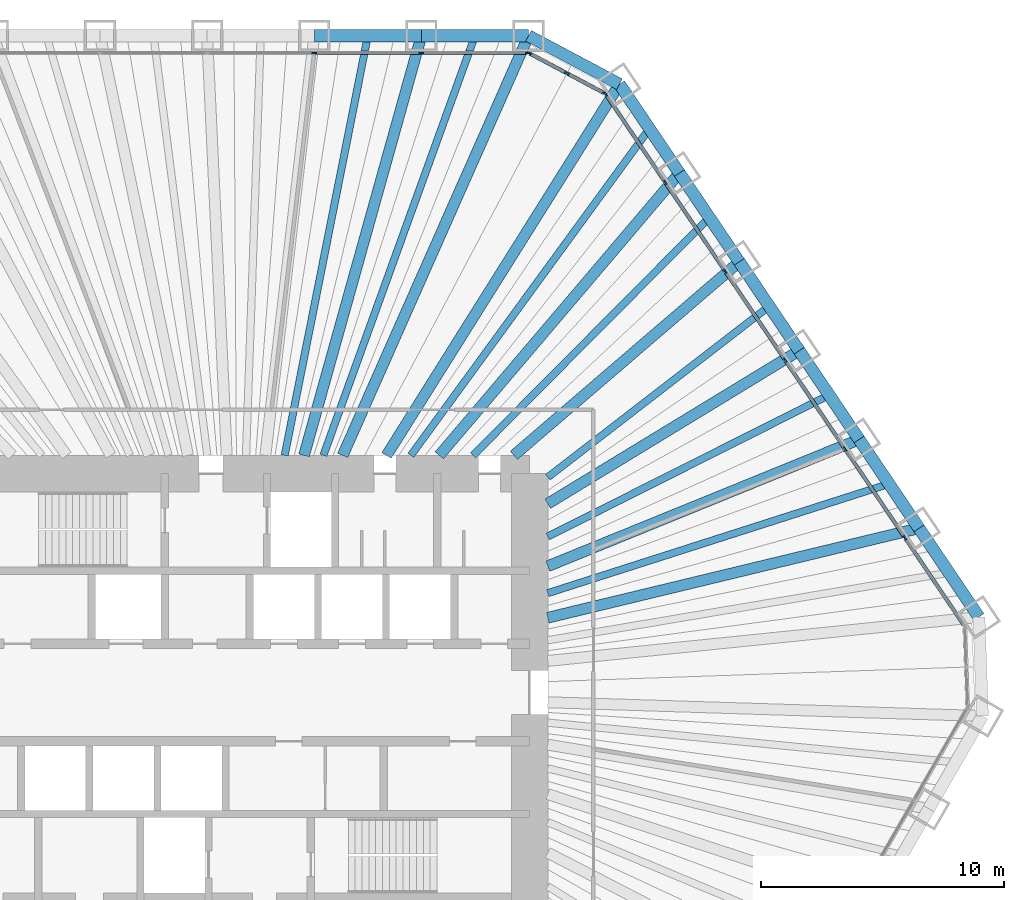
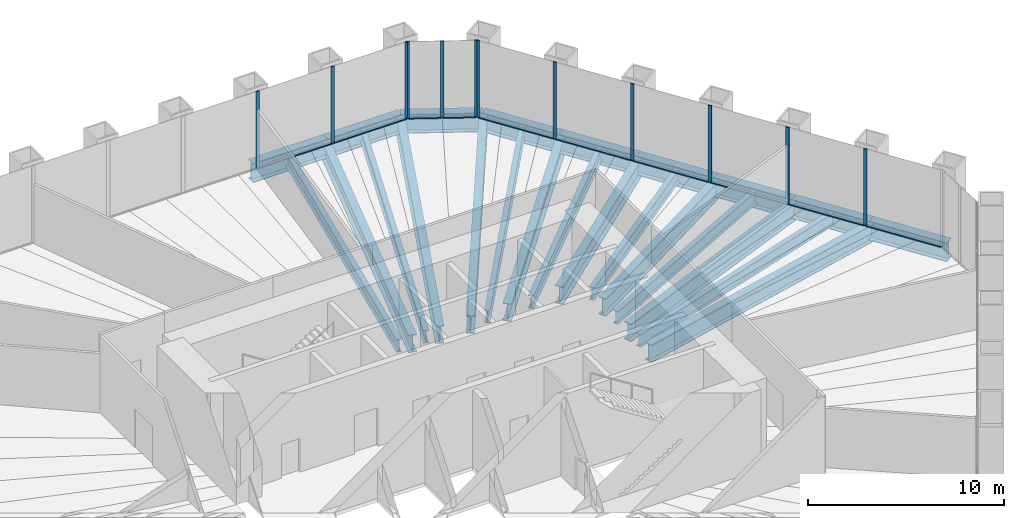
# One storey, part 7 of 13: 24 beams, 22 members, 3 elements without a shape of their own.
"""IFC4 building model written with IfcOpenShell, lengths in metres."""

import ifcopenshell
import ifcopenshell.guid

model = None  # the IFC model being written
_history = None  # IfcOwnerHistory: only IFC2X3 demands one
_inside = {}  # id of a spatial element -> (the spatial element, [elements in it])
_under = {}  # id of a project, library or spatial element -> (it, [spatial elements below it])
_declared = {}  # id of a project -> (the project, [libraries it declares])
_typed = {}  # id of a type object -> (the type object, [elements of that type])
_made_of = {}  # id of a material, layer set ... -> (it, [elements and type objects made of it])


def new_model(schema):
    """Start an empty IFC model of exactly this schema.

    Asked for "IFC4X3", IfcOpenShell would pick the latest addendum, in which some entities
    have other attributes; the version numbers below select the first issue.
    IFC2X3 requires an IfcOwnerHistory on every rooted entity: one is made here for all.
    """
    global model, _history
    if schema == "IFC4X3":
        model = ifcopenshell.file(schema_version=(4, 3, 0, 0))
    else:
        model = ifcopenshell.file(schema=schema)
    _inside.clear()
    _under.clear()
    _declared.clear()
    _typed.clear()
    _made_of.clear()
    _history = None
    if model.schema == "IFC2X3":
        org = make("IfcOrganization", Name="unknown")
        user = make(
            "IfcPersonAndOrganization",
            ThePerson=make("IfcPerson", FamilyName="unknown"),
            TheOrganization=org,
        )
        app = make(
            "IfcApplication",
            ApplicationDeveloper=org,
            Version="unknown",
            ApplicationFullName="unknown",
            ApplicationIdentifier="unknown",
        )
        _history = make(
            "IfcOwnerHistory",
            OwningUser=user,
            OwningApplication=app,
            ChangeAction="ADDED",
            CreationDate=0,
        )
    return model


def make(cls, **values):
    """One entity of the class cls with the attributes given. An attribute that is None is left unset."""
    return model.create_entity(
        cls, **{name: value for name, value in values.items() if value is not None}
    )


def rooted(cls, **values):
    """An entity with a GlobalId (a new one), such as an element, a storey or a relation."""
    return make(cls, GlobalId=ifcopenshell.guid.new(), OwnerHistory=_history, **values)


def si_unit(unit_type, name, prefix=None):
    """IfcSIUnit, for example si_unit("LENGTHUNIT", "METRE", prefix="MILLI")."""
    return make("IfcSIUnit", UnitType=unit_type, Prefix=prefix, Name=name)


def assignment(units):
    """IfcUnitAssignment: the units of a project."""
    return None if units is None else make("IfcUnitAssignment", Units=units)


def point(xyz):
    """IfcCartesianPoint."""
    return None if xyz is None else make("IfcCartesianPoint", Coordinates=xyz)


def direction(xyz):
    """IfcDirection."""
    return None if xyz is None else make("IfcDirection", DirectionRatios=xyz)


def frame(location, z_axis=None, x_axis=None):
    """IfcAxis2Placement3D, a coordinate frame: its origin and axes. An axis left out is left unset."""
    return make(
        "IfcAxis2Placement3D",
        Location=point(location),
        Axis=direction(z_axis),
        RefDirection=direction(x_axis),
    )


def frame_2d(location, x_axis=None):
    """IfcAxis2Placement2D, a coordinate frame in the plane: its origin and x axis."""
    return make(
        "IfcAxis2Placement2D", Location=point(location), RefDirection=direction(x_axis)
    )


def origin():
    """The frame at (0, 0, 0) with its axes left unset."""
    return frame((0.0, 0.0, 0.0))


def origin_2d():
    """The frame at (0, 0) in the plane with its x axis left unset."""
    return frame_2d((0.0, 0.0))


def place(relative_to, where):
    """IfcLocalPlacement: puts the frame where relative to a parent placement (None: the world)."""
    return make(
        "IfcLocalPlacement", PlacementRelTo=relative_to, RelativePlacement=where
    )


def context(
    kind, dimensions, precision=None, world=None, true_north=None, identifier=None
):
    """IfcGeometricRepresentationContext, for example the 3D "Model" context."""
    return make(
        "IfcGeometricRepresentationContext",
        ContextIdentifier=identifier,
        ContextType=kind,
        CoordinateSpaceDimension=dimensions,
        Precision=precision,
        WorldCoordinateSystem=world,
        TrueNorth=true_north,
    )


def subcontext(parent, identifier, kind, view, scale=None):
    """IfcGeometricRepresentationSubContext, for example "Body" below "Model"."""
    return make(
        "IfcGeometricRepresentationSubContext",
        ContextIdentifier=identifier,
        ContextType=kind,
        ParentContext=parent,
        TargetScale=scale,
        TargetView=view,
    )


def project(units=None, contexts=None):
    """IfcProject with its units and contexts."""
    return rooted(
        "IfcProject",
        Name="project",
        RepresentationContexts=contexts,
        UnitsInContext=assignment(units),
    )


def spatial(cls, under=None, at=None, **own):
    """A site, building, storey or space (cls), placed at a placement, below another one or the project."""
    s = rooted(cls, ObjectPlacement=at, **own)
    if under is not None:
        _under.setdefault(under.id(), (under, []))[1].append(s)
    return s


def profile(cls, at=None, kind="AREA", **sizes):
    """A parametric profile (cls). Its sizes go by their IFC names, for example OverallWidth=200.0."""
    return make(cls, ProfileType=kind, Position=at, **sizes)


def rectangle(**sizes):
    """IfcRectangleProfileDef."""
    return profile("IfcRectangleProfileDef", **sizes)


def i_section(**sizes):
    """IfcIShapeProfileDef."""
    return profile("IfcIShapeProfileDef", **sizes)


def extrude(swept, where, along, depth):
    """IfcExtrudedAreaSolid: the profile swept, set in the frame where, extruded along a direction by depth."""
    return make(
        "IfcExtrudedAreaSolid",
        SweptArea=swept,
        Position=where,
        ExtrudedDirection=direction(along),
        Depth=depth,
    )


def shape(context_of_items, identifier, shape_type, items):
    """IfcShapeRepresentation: the items that make up one representation, for example the "Body"."""
    return make(
        "IfcShapeRepresentation",
        ContextOfItems=context_of_items,
        RepresentationIdentifier=identifier,
        RepresentationType=shape_type,
        Items=items,
    )


def material(Name=None, Category=None):
    """IfcMaterial."""
    return make("IfcMaterial", Name=Name, Category=Category)


def material_profile(
    of_material, cross_section, Name=None, Category=None, Priority=None
):
    """IfcMaterialProfile: a cross section and its material."""
    return make(
        "IfcMaterialProfile",
        Name=Name,
        Material=of_material,
        Profile=cross_section,
        Priority=Priority,
        Category=Category,
    )


def profile_set(profiles, Name=None, composite=None):
    """IfcMaterialProfileSet."""
    return make(
        "IfcMaterialProfileSet",
        Name=Name,
        MaterialProfiles=profiles,
        CompositeProfile=composite,
    )


def made_of(thing, what):
    """Note that an element or type object is made of a material, layer set ...; save() writes the relation."""
    if what is not None:
        _made_of.setdefault(what.id(), (what, []))[1].append(thing)
    return thing


def type_object(cls, material=None, **own):
    """A type object (cls), such as IfcWallType, which elements share."""
    return made_of(rooted(cls, **own), material)


def element(
    cls,
    number,
    at=None,
    inside=None,
    cuts=None,
    type_object=None,
    material=None,
    context=None,
    identifier="Body",
    shape_type=None,
    held_by="IfcProductDefinitionShape",
    body=None,
    shapes=None,
    **own,
):
    """One element of the class cls, such as IfcWall. Its Tag is "e" and its number.

    at: its placement. inside: the storey or other place that contains it. cuts: it is an
    opening in that element (IfcRelVoidsElement). A single representation is given by context,
    identifier, shape_type and body (its items); several are given by shapes. held_by: the class
    of the entity that holds the representations. save() writes the other relations.
    """
    e = rooted(cls, Tag="e%d" % number, ObjectPlacement=at, **own)
    if body is not None:
        shapes = [shape(context, identifier, shape_type, body)]
    if shapes is not None:
        e.Representation = make(held_by, Representations=shapes)
    if inside is not None:
        _inside.setdefault(inside.id(), (inside, []))[1].append(e)
    if cuts is not None:
        rooted(
            "IfcRelVoidsElement", RelatingBuildingElement=cuts, RelatedOpeningElement=e
        )
    if type_object is not None:
        _typed.setdefault(type_object.id(), (type_object, []))[1].append(e)
    return made_of(e, material)


def aggregate(whole, parts):
    """IfcRelAggregates: a whole, such as a stair, and the parts it consists of."""
    return rooted("IfcRelAggregates", RelatingObject=whole, RelatedObjects=parts)


def save(model, path):
    """Write the relations noted so far, then the file.

    IfcRelAggregates (storeys below a building ...), IfcRelContainedInSpatialStructure (elements
    in a storey), IfcRelDefinesByType, IfcRelAssociatesMaterial and IfcRelDeclares: one each for
    every whole, place, type object, material and project.
    """
    for whole, parts in _under.values():
        aggregate(whole, parts)
    for where, things in _inside.values():
        rooted(
            "IfcRelContainedInSpatialStructure",
            RelatedElements=things,
            RelatingStructure=where,
        )
    for kind, things in _typed.values():
        rooted("IfcRelDefinesByType", RelatedObjects=things, RelatingType=kind)
    for what, things in _made_of.values():
        rooted("IfcRelAssociatesMaterial", RelatedObjects=things, RelatingMaterial=what)
    for by, libraries in _declared.values():
        rooted("IfcRelDeclares", RelatingContext=by, RelatedDefinitions=libraries)
    model.write(path)


model = new_model("IFC4")

# Units and contexts
model_context = context("Model", 3, precision=1e-05, world=origin(), true_north=direction((0.0, 1.0)))
body_context = subcontext(model_context, "Body", "Model", "MODEL_VIEW")
ifc_project = project(units=[si_unit("LENGTHUNIT", "METRE"), si_unit("AREAUNIT", "SQUARE_METRE"), si_unit("VOLUMEUNIT", "CUBIC_METRE"), si_unit("PLANEANGLEUNIT", "RADIAN"), si_unit("MASSUNIT", "GRAM", prefix="KILO")], contexts=[model_context])

# Site, building, storey
site_placement = place(None, origin())
site = spatial("IfcSite", under=ifc_project, at=site_placement, CompositionType="ELEMENT")
building_placement = place(site_placement, origin())
building = spatial("IfcBuilding", under=site, at=building_placement, Name="Qingtian Harvest Tower", CompositionType="ELEMENT")
storey_placement = place(building_placement, frame((0.0, 0.0, 42.0)))
storey = spatial("IfcBuildingStorey", under=building, at=storey_placement, Name="L08", CompositionType="ELEMENT", Elevation=42.0)

# Beams
ifc_material_1 = material(Name="Steel SM570MC", Category="steel")
ifc_material_profile_1 = material_profile(ifc_material_1, i_section(OverallWidth=0.449951171875, OverallDepth=1.10009765625, WebThickness=0.02197265625, FlangeThickness=0.044921875, at=origin_2d()), Name="H1100x450x22x45")
ifc_profile_set_1 = profile_set([ifc_material_profile_1], Name="Steel SM570MC")
beam_type_1 = type_object("IfcBeamType", Name="Corner floor beam FB8 H1100x450x22x45", PredefinedType="BEAM", material=ifc_profile_set_1)
beam_1_placement = place(storey_placement, frame((11.9560546875, 27.0, -0.75), z_axis=(-0.404898955654, -0.914361436036, 0.0), x_axis=(0.914361436036, -0.404898955654, 0.0)))
element("IfcBeam", 1, at=beam_1_placement, inside=storey, type_object=beam_type_1, Name="Floor beam FB8 N6", PredefinedType="BEAM", context=body_context, shape_type="SweptSolid", body=[
    extrude(i_section(OverallWidth=0.449951171875, OverallDepth=1.10009765625, WebThickness=0.02197265625, FlangeThickness=0.044921875, at=origin_2d()), origin(), (0.0, 0.0, 1.0), 18.86572265625),
])
beam_2_placement = place(storey_placement, frame((15.6982421875, 25.01025390625, -0.75), z_axis=(-0.531622796942, -0.846981228701, 0.0), x_axis=(0.846981228701, -0.531622796942, 0.0)))
element("IfcBeam", 2, at=beam_2_placement, inside=storey, type_object=beam_type_1, Name="Floor beam FB8 NE0", PredefinedType="BEAM", context=body_context, shape_type="SweptSolid", body=[
    extrude(i_section(OverallWidth=0.449951171875, OverallDepth=1.10009765625, WebThickness=0.02197265625, FlangeThickness=0.044921875, at=origin_2d()), origin(), (0.0, 0.0, 1.0), 18.017333984375),
])
ifc_material_2 = material(Name="Steel SM570MC", Category="steel")
ifc_material_profile_2 = material_profile(ifc_material_2, i_section(OverallWidth=0.449951171875, OverallDepth=1.10009765625, WebThickness=0.02197265625, FlangeThickness=0.044921875, at=origin_2d()), Name="H1100x450x22x45")
ifc_profile_set_2 = profile_set([ifc_material_profile_2], Name="Steel SM570MC")
beam_type_2 = type_object("IfcBeamType", Name="Floor beam FB1 H1100x450x22x45", PredefinedType="BEAM", material=ifc_profile_set_2)
beam_3_placement = place(storey_placement, frame((7.551513671875, 27.0, -0.75), z_axis=(-0.269343258019, -0.963044240604, 0.0), x_axis=(0.963044240604, -0.269343258019, 0.0)))
element("IfcBeam", 3, at=beam_3_placement, inside=storey, type_object=beam_type_2, Name="Floor beam FB1 N5", PredefinedType="BEAM", context=body_context, shape_type="SweptSolid", body=[
    extrude(i_section(OverallWidth=0.449951171875, OverallDepth=1.10009765625, WebThickness=0.02197265625, FlangeThickness=0.044921875, at=origin_2d()), origin(), (0.0, 0.0, 1.0), 17.911865234375),
])
beam_4_placement = place(storey_placement, frame((18.1611328125, 21.358642578125, -0.75), z_axis=(-0.647781887327, -0.761825850474, 0.0), x_axis=(0.761825850474, -0.647781887327, 0.0)))
element("IfcBeam", 4, at=beam_4_placement, inside=storey, type_object=beam_type_2, Name="Floor beam FB1 NE1", PredefinedType="BEAM", context=body_context, shape_type="SweptSolid", body=[
    extrude(i_section(OverallWidth=0.449951171875, OverallDepth=1.10009765625, WebThickness=0.02197265625, FlangeThickness=0.044921875, at=origin_2d()), origin(), (0.0, 0.0, 1.0), 15.238037109375),
])
beam_5_placement = place(storey_placement, frame((20.624267578125, 17.70703125, -0.75), z_axis=(-0.75873153072, -0.651403457384, 0.0), x_axis=(0.651403457384, -0.75873153072, 0.0)))
element("IfcBeam", 5, at=beam_5_placement, inside=storey, type_object=beam_type_2, Name="Floor beam FB1 NE2", PredefinedType="BEAM", context=body_context, shape_type="SweptSolid", body=[
    extrude(i_section(OverallWidth=0.449951171875, OverallDepth=1.10009765625, WebThickness=0.02197265625, FlangeThickness=0.044921875, at=origin_2d()), origin(), (0.0, 0.0, 1.0), 12.21533203125),
])
beam_6_placement = place(storey_placement, frame((23.08740234375, 14.0556640625, -0.75), z_axis=(-0.854157261259, -0.520014781558, 0.0), x_axis=(0.520014781558, -0.854157261259, 0.0)))
element("IfcBeam", 6, at=beam_6_placement, inside=storey, type_object=beam_type_2, Name="Floor beam FB1 NE3", PredefinedType="BEAM", context=body_context, shape_type="SweptSolid", body=[
    extrude(i_section(OverallWidth=0.449951171875, OverallDepth=1.10009765625, WebThickness=0.02197265625, FlangeThickness=0.044921875, at=origin_2d()), origin(), (0.0, 0.0, 1.0), 12.1025390625),
])
beam_7_placement = place(storey_placement, frame((25.55029296875, 10.404052734375, -0.75), z_axis=(-0.926156354735, -0.37713977062, 0.0), x_axis=(0.37713977062, -0.926156354735, 0.0)))
element("IfcBeam", 7, at=beam_7_placement, inside=storey, type_object=beam_type_2, Name="Floor beam FB1 NE4", PredefinedType="BEAM", context=body_context, shape_type="SweptSolid", body=[
    extrude(i_section(OverallWidth=0.449951171875, OverallDepth=1.10009765625, WebThickness=0.02197265625, FlangeThickness=0.044921875, at=origin_2d()), origin(), (0.0, 0.0, 1.0), 13.82080078125),
])
beam_8_placement = place(storey_placement, frame((28.013427734375, 6.75244140625, -0.75), z_axis=(-0.972155908389, -0.234334994792, 0.0), x_axis=(0.234334994792, -0.972155908389, 0.0)))
element("IfcBeam", 8, at=beam_8_placement, inside=storey, type_object=beam_type_2, Name="Floor beam FB1 NE5", PredefinedType="BEAM", context=body_context, shape_type="SweptSolid", body=[
    extrude(i_section(OverallWidth=0.449951171875, OverallDepth=1.10009765625, WebThickness=0.02197265625, FlangeThickness=0.044921875, at=origin_2d()), origin(), (0.0, 0.0, 1.0), 15.70068359375),
])
ifc_material_3 = material(Name="Steel SN490B", Category="steel")
ifc_material_profile_3 = material_profile(ifc_material_3, i_section(OverallWidth=0.300048828125, OverallDepth=0.800048828125, WebThickness=0.013916015625, FlangeThickness=0.02587890625, at=origin_2d()), Name="H800x300x14x26")
ifc_profile_set_3 = profile_set([ifc_material_profile_3], Name="Steel SN490B")
beam_type_3 = type_object("IfcBeamType", Name="Floor joist J1 H800x300x14x26", PredefinedType="JOIST", material=ifc_profile_set_3)
beam_9_placement = place(storey_placement, frame((5.349365234375, 27.0, -0.60009765625), z_axis=(-0.19435104803, -0.980932041545, 0.0), x_axis=(0.980932041545, -0.19435104803, 0.0)))
element("IfcBeam", 9, at=beam_9_placement, inside=storey, type_object=beam_type_3, Name="Floor joist J1 N4", PredefinedType="JOIST", context=body_context, shape_type="SweptSolid", body=[
    extrude(i_section(OverallWidth=0.300048828125, OverallDepth=0.800048828125, WebThickness=0.013916015625, FlangeThickness=0.02587890625, at=origin_2d()), origin(), (0.0, 0.0, 1.0), 17.585205078125),
])
beam_10_placement = place(storey_placement, frame((9.75390625, 27.0, -0.60009765625), z_axis=(-0.339766141765, -0.940509951521, 0.0), x_axis=(0.940509951521, -0.339766141765, 0.0)))
element("IfcBeam", 10, at=beam_10_placement, inside=storey, type_object=beam_type_3, Name="Floor joist J1 N5", PredefinedType="JOIST", context=body_context, shape_type="SweptSolid", body=[
    extrude(i_section(OverallWidth=0.300048828125, OverallDepth=0.800048828125, WebThickness=0.013916015625, FlangeThickness=0.02587890625, at=origin_2d()), origin(), (0.0, 0.0, 1.0), 18.341064453125),
])
beam_11_placement = place(storey_placement, frame((16.9296875, 23.1845703125, -0.60009765625), z_axis=(-0.589722175422, -0.80760618857, 0.0), x_axis=(0.80760618857, -0.589722175422, 0.0)))
element("IfcBeam", 11, at=beam_11_placement, inside=storey, type_object=beam_type_3, Name="Floor joist J1 NE0", PredefinedType="JOIST", context=body_context, shape_type="SweptSolid", body=[
    extrude(i_section(OverallWidth=0.300048828125, OverallDepth=0.800048828125, WebThickness=0.013916015625, FlangeThickness=0.02587890625, at=origin_2d()), origin(), (0.0, 0.0, 1.0), 16.635009765625),
])
beam_12_placement = place(storey_placement, frame((19.392822265625, 19.532958984375, -0.60009765625), z_axis=(-0.704560879039, -0.709643549768, 0.0), x_axis=(0.709643549768, -0.704560879039, 0.0)))
element("IfcBeam", 12, at=beam_12_placement, inside=storey, type_object=beam_type_3, Name="Floor joist J1 NE1", PredefinedType="JOIST", context=body_context, shape_type="SweptSolid", body=[
    extrude(i_section(OverallWidth=0.300048828125, OverallDepth=0.800048828125, WebThickness=0.013916015625, FlangeThickness=0.02587890625, at=origin_2d()), origin(), (0.0, 0.0, 1.0), 13.78564453125),
])
beam_13_placement = place(storey_placement, frame((21.855712890625, 15.88134765625, -0.60009765625), z_axis=(-0.79149450594, -0.611176281499, 0.0), x_axis=(0.611176281499, -0.79149450594, 0.0)))
element("IfcBeam", 13, at=beam_13_placement, inside=storey, type_object=beam_type_3, Name="Floor joist J1 NE2", PredefinedType="JOIST", context=body_context, shape_type="SweptSolid", body=[
    extrude(i_section(OverallWidth=0.300048828125, OverallDepth=0.800048828125, WebThickness=0.013916015625, FlangeThickness=0.02587890625, at=origin_2d()), origin(), (0.0, 0.0, 1.0), 11.50439453125),
])
beam_14_placement = place(storey_placement, frame((24.31884765625, 12.229736328125, -0.60009765625), z_axis=(-0.893391632689, -0.449278744924, 0.0), x_axis=(0.449278744924, -0.893391632689, 0.0)))
element("IfcBeam", 14, at=beam_14_placement, inside=storey, type_object=beam_type_3, Name="Floor joist J1 NE3", PredefinedType="JOIST", context=body_context, shape_type="SweptSolid", body=[
    extrude(i_section(OverallWidth=0.300048828125, OverallDepth=0.800048828125, WebThickness=0.013916015625, FlangeThickness=0.02587890625, at=origin_2d()), origin(), (0.0, 0.0, 1.0), 12.949462890625),
])
beam_15_placement = place(storey_placement, frame((26.78173828125, 8.578125, -0.60009765625), z_axis=(-0.952340804978, -0.305036048976, 0.0), x_axis=(0.305036048976, -0.952340804978, 0.0)))
element("IfcBeam", 15, at=beam_15_placement, inside=storey, type_object=beam_type_3, Name="Floor joist J1 NE4", PredefinedType="JOIST", context=body_context, shape_type="SweptSolid", body=[
    extrude(i_section(OverallWidth=0.300048828125, OverallDepth=0.800048828125, WebThickness=0.013916015625, FlangeThickness=0.02587890625, at=origin_2d()), origin(), (0.0, 0.0, 1.0), 14.73388671875),
])

# Curtain wall, members
ifc_material_4 = material(Name="Bronze-anodised aluminium curtain wall", Category="aluminium")
curtain_wall_type = type_object("IfcCurtainWallType", Name="Curtain wall CW2 farm reception", PredefinedType="USERDEFINED", material=ifc_material_4)
curtain_wall_1_placement = place(storey_placement, origin())
curtain_wall_1 = element("IfcCurtainWall", 16, at=curtain_wall_1_placement, inside=storey, type_object=curtain_wall_type, Name="Curtain wall CW2 L08 N0-5", ObjectType="RECESSED CURTAIN WALL", PredefinedType="USERDEFINED")
ifc_material_5 = material(Name="Bronze-anodised aluminium mullion", Category="aluminium")
ifc_material_profile_4 = material_profile(ifc_material_5, rectangle(XDim=0.06494140625, YDim=0.199951171875, at=origin_2d()), Name="AL 65x200")
ifc_profile_set_4 = profile_set([ifc_material_profile_4], Name="Bronze-anodised aluminium mullion")
member_type_1 = type_object("IfcMemberType", Name="Mullion CWM 65x200", PredefinedType="MULLION", material=ifc_profile_set_4)
member_1_placement = place(storey_placement, frame((3.14697265625, 26.300048828125, 0.0), z_axis=(0.0, 0.0, 1.0), x_axis=(0.0, 1.0, 0.0)))
member_1 = element("IfcMember", 17, at=member_1_placement, type_object=member_type_1, Name="CW2 mullion 5", PredefinedType="MULLION", context=body_context, shape_type="SweptSolid", body=[
    extrude(rectangle(XDim=0.06494140625, YDim=0.199951171875, at=origin_2d()), origin(), (0.0, 0.0, 1.0), 4.800048828125),
])
member_2_placement = place(storey_placement, frame((7.551513671875, 26.300048828125, 0.0), z_axis=(0.0, 0.0, 1.0), x_axis=(0.0, 1.0, 0.0)))
member_2 = element("IfcMember", 18, at=member_2_placement, type_object=member_type_1, Name="CW2 mullion 6", PredefinedType="MULLION", context=body_context, shape_type="SweptSolid", body=[
    extrude(rectangle(XDim=0.06494140625, YDim=0.199951171875, at=origin_2d()), origin(), (0.0, 0.0, 1.0), 4.800048828125),
])
member_3_placement = place(storey_placement, frame((11.923583984375, 26.300048828125, 0.0), z_axis=(0.0, 0.0, 1.0), x_axis=(0.0, 1.0, 0.0)))
member_3 = element("IfcMember", 19, at=member_3_placement, type_object=member_type_1, Name="CW2 mullion 7", PredefinedType="MULLION", context=body_context, shape_type="SweptSolid", body=[
    extrude(rectangle(XDim=0.06494140625, YDim=0.199951171875, at=origin_2d()), origin(), (0.0, 0.0, 1.0), 4.800048828125),
])

curtain_wall_2_placement = place(storey_placement, origin())
curtain_wall_2 = element("IfcCurtainWall", 20, at=curtain_wall_2_placement, inside=storey, type_object=curtain_wall_type, Name="Curtain wall CW2 L08 NC", ObjectType="RECESSED CURTAIN WALL", PredefinedType="USERDEFINED")
member_4_placement = place(storey_placement, frame((11.98486328125, 26.28466796875, 0.0), z_axis=(0.0, 0.0, 1.0), x_axis=(0.469471562786, 0.882947592859, 0.0)))
member_4 = element("IfcMember", 21, at=member_4_placement, type_object=member_type_1, Name="CW2 mullion 1", PredefinedType="MULLION", context=body_context, shape_type="SweptSolid", body=[
    extrude(rectangle(XDim=0.06494140625, YDim=0.199951171875, at=origin_2d()), origin(), (0.0, 0.0, 1.0), 4.800048828125),
])
member_5_placement = place(storey_placement, frame((13.537109375, 25.45947265625, 0.0), z_axis=(0.0, 0.0, 1.0), x_axis=(0.469471562786, 0.882947592859, 0.0)))
member_5 = element("IfcMember", 22, at=member_5_placement, type_object=member_type_1, Name="CW2 mullion 2", PredefinedType="MULLION", context=body_context, shape_type="SweptSolid", body=[
    extrude(rectangle(XDim=0.06494140625, YDim=0.199951171875, at=origin_2d()), origin(), (0.0, 0.0, 1.0), 4.800048828125),
])
member_6_placement = place(storey_placement, frame((15.089111328125, 24.634033203125, 0.0), z_axis=(0.0, 0.0, 1.0), x_axis=(0.469471562786, 0.882947592859, 0.0)))
member_6 = element("IfcMember", 23, at=member_6_placement, type_object=member_type_1, Name="CW2 mullion 3", PredefinedType="MULLION", context=body_context, shape_type="SweptSolid", body=[
    extrude(rectangle(XDim=0.06494140625, YDim=0.199951171875, at=origin_2d()), origin(), (0.0, 0.0, 1.0), 4.800048828125),
])

curtain_wall_3_placement = place(storey_placement, origin())
curtain_wall_3 = element("IfcCurtainWall", 24, at=curtain_wall_3_placement, inside=storey, type_object=curtain_wall_type, Name="Curtain wall CW2 L08 NE0-5", ObjectType="RECESSED CURTAIN WALL", PredefinedType="USERDEFINED")
member_7_placement = place(storey_placement, frame((15.135986328125, 24.592041015625, 0.0), z_axis=(0.0, 0.0, 1.0), x_axis=(0.829037572555, 0.559192903471, 0.0)))
member_7 = element("IfcMember", 25, at=member_7_placement, type_object=member_type_1, Name="CW2 mullion 1", PredefinedType="MULLION", context=body_context, shape_type="SweptSolid", body=[
    extrude(rectangle(XDim=0.06494140625, YDim=0.199951171875, at=origin_2d()), origin(), (0.0, 0.0, 1.0), 4.800048828125),
])
member_8_placement = place(storey_placement, frame((17.580810546875, 20.96728515625, 0.0), z_axis=(0.0, 0.0, 1.0), x_axis=(0.829037572555, 0.559192903471, 0.0)))
member_8 = element("IfcMember", 26, at=member_8_placement, type_object=member_type_1, Name="CW2 mullion 2", PredefinedType="MULLION", context=body_context, shape_type="SweptSolid", body=[
    extrude(rectangle(XDim=0.06494140625, YDim=0.199951171875, at=origin_2d()), origin(), (0.0, 0.0, 1.0), 4.800048828125),
])
member_9_placement = place(storey_placement, frame((20.0439453125, 17.315673828125, 0.0), z_axis=(0.0, 0.0, 1.0), x_axis=(0.829037572555, 0.559192903471, 0.0)))
member_9 = element("IfcMember", 27, at=member_9_placement, type_object=member_type_1, Name="CW2 mullion 3", PredefinedType="MULLION", context=body_context, shape_type="SweptSolid", body=[
    extrude(rectangle(XDim=0.06494140625, YDim=0.199951171875, at=origin_2d()), origin(), (0.0, 0.0, 1.0), 4.800048828125),
])
member_10_placement = place(storey_placement, frame((22.507080078125, 13.6640625, 0.0), z_axis=(0.0, 0.0, 1.0), x_axis=(0.829037572555, 0.559192903471, 0.0)))
member_10 = element("IfcMember", 28, at=member_10_placement, type_object=member_type_1, Name="CW2 mullion 4", PredefinedType="MULLION", context=body_context, shape_type="SweptSolid", body=[
    extrude(rectangle(XDim=0.06494140625, YDim=0.199951171875, at=origin_2d()), origin(), (0.0, 0.0, 1.0), 4.800048828125),
])
member_11_placement = place(storey_placement, frame((24.969970703125, 10.012451171875, 0.0), z_axis=(0.0, 0.0, 1.0), x_axis=(0.829037572555, 0.559192903471, 0.0)))
member_11 = element("IfcMember", 29, at=member_11_placement, type_object=member_type_1, Name="CW2 mullion 5", PredefinedType="MULLION", context=body_context, shape_type="SweptSolid", body=[
    extrude(rectangle(XDim=0.06494140625, YDim=0.199951171875, at=origin_2d()), origin(), (0.0, 0.0, 1.0), 4.800048828125),
])
member_12_placement = place(storey_placement, frame((27.43310546875, 6.36083984375, 0.0), z_axis=(0.0, 0.0, 1.0), x_axis=(0.829037572555, 0.559192903471, 0.0)))
member_12 = element("IfcMember", 30, at=member_12_placement, type_object=member_type_1, Name="CW2 mullion 6", PredefinedType="MULLION", context=body_context, shape_type="SweptSolid", body=[
    extrude(rectangle(XDim=0.06494140625, YDim=0.199951171875, at=origin_2d()), origin(), (0.0, 0.0, 1.0), 4.800048828125),
])

# Beams
ifc_material_6 = material(Name="Steel SM570MC", Category="steel")
ifc_material_profile_5 = material_profile(ifc_material_6, i_section(OverallWidth=0.5, OverallDepth=1.199951171875, WebThickness=0.02490234375, FlangeThickness=0.050048828125, at=origin_2d()), Name="H1200x500x25x50")
ifc_profile_set_5 = profile_set([ifc_material_profile_5], Name="Steel SM570MC")
beam_type_4 = type_object("IfcBeamType", Name="Spandrel beam SB1 H1200x500x25x50", PredefinedType="SPANDREL", material=ifc_profile_set_5)
for number, where, z_axis, x_axis, name in (
    (31, (3.14697265625, 27.0, -0.60009765625), (1.0, 0.0, 0.0), (0.0, 1.0, 0.0), "Spandrel SB1 N4"),
    (32, (7.551513671875, 27.0, -0.60009765625), (1.0, 0.0, 0.0), (0.0, 1.0, 0.0), "Spandrel SB1 N5"),
):
    element("IfcBeam", number, at=place(storey_placement, frame(where, z_axis=z_axis, x_axis=x_axis)), inside=storey, type_object=beam_type_4, Name=name, PredefinedType="SPANDREL", context=body_context, shape_type="SweptSolid", body=[
        extrude(i_section(OverallWidth=0.5, OverallDepth=1.199951171875, WebThickness=0.02490234375, FlangeThickness=0.050048828125, at=origin_2d()), origin(), (0.0, 0.0, 1.0), 4.404541015625),
    ])
beam_16_placement = place(storey_placement, frame((11.9560546875, 27.0, -0.60009765625), z_axis=(0.882948599748, -0.469469669099, 0.0), x_axis=(0.469469669099, 0.882948599748, 0.0)))
element("IfcBeam", 33, at=beam_16_placement, inside=storey, type_object=beam_type_4, Name="Spandrel SB1 NC", PredefinedType="SPANDREL", context=body_context, shape_type="SweptSolid", body=[
    extrude(i_section(OverallWidth=0.5, OverallDepth=1.199951171875, WebThickness=0.02490234375, FlangeThickness=0.050048828125, at=origin_2d()), origin(), (0.0, 0.0, 1.0), 4.23828125),
])
beam_17_placement = place(storey_placement, frame((15.6982421875, 25.01025390625, -0.60009765625), z_axis=(0.559169135272, -0.829053603912, 0.0), x_axis=(0.829053603912, 0.559169135272, 0.0)))
element("IfcBeam", 34, at=beam_17_placement, inside=storey, type_object=beam_type_4, Name="Spandrel SB1 NE0", PredefinedType="SPANDREL", context=body_context, shape_type="SweptSolid", body=[
    extrude(i_section(OverallWidth=0.5, OverallDepth=1.199951171875, WebThickness=0.02490234375, FlangeThickness=0.050048828125, at=origin_2d()), origin(), (0.0, 0.0, 1.0), 4.404541015625),
])
beam_18_placement = place(storey_placement, frame((18.1611328125, 21.358642578125, -0.60009765625), z_axis=(0.559207231603, -0.829027907928, 0.0), x_axis=(0.829027907928, 0.559207231603, 0.0)))
element("IfcBeam", 35, at=beam_18_placement, inside=storey, type_object=beam_type_4, Name="Spandrel SB1 NE1", PredefinedType="SPANDREL", context=body_context, shape_type="SweptSolid", body=[
    extrude(i_section(OverallWidth=0.5, OverallDepth=1.199951171875, WebThickness=0.02490234375, FlangeThickness=0.050048828125, at=origin_2d()), origin(), (0.0, 0.0, 1.0), 4.40478515625),
])
for number, where, z_axis, x_axis, name in (
    (36, (20.624267578125, 17.70703125, -0.60009765625), (0.559232928578, -0.829010573874, 0.0), (0.829010573874, 0.559232928578, 0.0), "Spandrel SB1 NE2"),
    (37, (23.08740234375, 14.0556640625, -0.60009765625), (0.559169135272, -0.829053603912, 0.0), (0.829053603912, 0.559169135272, 0.0), "Spandrel SB1 NE3"),
):
    element("IfcBeam", number, at=place(storey_placement, frame(where, z_axis=z_axis, x_axis=x_axis)), inside=storey, type_object=beam_type_4, Name=name, PredefinedType="SPANDREL", context=body_context, shape_type="SweptSolid", body=[
        extrude(i_section(OverallWidth=0.5, OverallDepth=1.199951171875, WebThickness=0.02490234375, FlangeThickness=0.050048828125, at=origin_2d()), origin(), (0.0, 0.0, 1.0), 4.404541015625),
    ])
beam_19_placement = place(storey_placement, frame((25.55029296875, 10.404052734375, -0.60009765625), z_axis=(0.559207231603, -0.829027907928, 0.0), x_axis=(0.829027907928, 0.559207231603, 0.0)))
element("IfcBeam", 38, at=beam_19_placement, inside=storey, type_object=beam_type_4, Name="Spandrel SB1 NE4", PredefinedType="SPANDREL", context=body_context, shape_type="SweptSolid", body=[
    extrude(i_section(OverallWidth=0.5, OverallDepth=1.199951171875, WebThickness=0.02490234375, FlangeThickness=0.050048828125, at=origin_2d()), origin(), (0.0, 0.0, 1.0), 4.40478515625),
])
beam_20_placement = place(storey_placement, frame((28.013427734375, 6.75244140625, -0.60009765625), z_axis=(0.559169135272, -0.829053603912, 0.0), x_axis=(0.829053603912, 0.559169135272, 0.0)))
element("IfcBeam", 39, at=beam_20_placement, inside=storey, type_object=beam_type_4, Name="Spandrel SB1 NE5", PredefinedType="SPANDREL", context=body_context, shape_type="SweptSolid", body=[
    extrude(i_section(OverallWidth=0.5, OverallDepth=1.199951171875, WebThickness=0.02490234375, FlangeThickness=0.050048828125, at=origin_2d()), origin(), (0.0, 0.0, 1.0), 4.404541015625),
])

# Member
ifc_material_7 = material(Name="Bronze-anodised aluminium transom", Category="aluminium")
ifc_material_profile_6 = material_profile(ifc_material_7, rectangle(XDim=0.14990234375, YDim=0.06494140625, at=origin_2d()), Name="AL 65x150")
ifc_profile_set_6 = profile_set([ifc_material_profile_6], Name="Bronze-anodised aluminium transom")
member_type_2 = type_object("IfcMemberType", Name="Transom CWT 65x150", PredefinedType="USERDEFINED", material=ifc_profile_set_6)
member_13_placement = place(storey_placement, frame((3.179443359375, 26.300048828125, 0.032470703125), z_axis=(1.0, 0.0, 0.0), x_axis=(0.0, 1.0, 0.0)))
member_13 = element("IfcMember", 40, at=member_13_placement, type_object=member_type_2, Name="CW2 transom 5.1", ObjectType="TRANSOM", PredefinedType="USERDEFINED", context=body_context, shape_type="SweptSolid", body=[
    extrude(rectangle(XDim=0.14990234375, YDim=0.06494140625, at=origin_2d()), origin(), (0.0, 0.0, 1.0), 4.339599609375),
])

member_14_placement = place(storey_placement, frame((7.583984375, 26.300048828125, 0.032470703125), z_axis=(1.0, 0.0, 0.0), x_axis=(0.0, 1.0, 0.0)))
member_14 = element("IfcMember", 41, at=member_14_placement, type_object=member_type_2, Name="CW2 transom 6.1", ObjectType="TRANSOM", PredefinedType="USERDEFINED", context=body_context, shape_type="SweptSolid", body=[
    extrude(rectangle(XDim=0.14990234375, YDim=0.06494140625, at=origin_2d()), origin(), (0.0, 0.0, 1.0), 4.30712890625),
])

aggregate(curtain_wall_1, [member_1, member_2, member_3, member_13, member_14])

member_15_placement = place(storey_placement, frame((12.013427734375, 26.26953125, 0.032470703125), z_axis=(0.882927080927, -0.469510138086, 0.0), x_axis=(0.469510138086, 0.882927080927, 0.0)))
member_15 = element("IfcMember", 42, at=member_15_placement, type_object=member_type_2, Name="CW2 transom 1.1", ObjectType="TRANSOM", PredefinedType="USERDEFINED", context=body_context, shape_type="SweptSolid", body=[
    extrude(rectangle(XDim=0.14990234375, YDim=0.06494140625, at=origin_2d()), origin(), (0.0, 0.0, 1.0), 1.693115234375),
])

member_16_placement = place(storey_placement, frame((13.565673828125, 25.444091796875, 0.032470703125), z_axis=(0.882986854304, -0.469397715297, 0.0), x_axis=(0.469397715297, 0.882986854304, 0.0)))
member_16 = element("IfcMember", 43, at=member_16_placement, type_object=member_type_2, Name="CW2 transom 2.1", ObjectType="TRANSOM", PredefinedType="USERDEFINED", context=body_context, shape_type="SweptSolid", body=[
    extrude(rectangle(XDim=0.14990234375, YDim=0.06494140625, at=origin_2d()), origin(), (0.0, 0.0, 1.0), 1.69287109375),
])

aggregate(curtain_wall_2, [member_4, member_5, member_6, member_15, member_16])

member_17_placement = place(storey_placement, frame((15.154296875, 24.56494140625, 0.032470703125), z_axis=(0.559178817275, -0.82904707364, 0.0), x_axis=(0.82904707364, 0.559178817275, 0.0)))
member_17 = element("IfcMember", 44, at=member_17_placement, type_object=member_type_2, Name="CW2 transom 1.1", ObjectType="TRANSOM", PredefinedType="USERDEFINED", context=body_context, shape_type="SweptSolid", body=[
    extrude(rectangle(XDim=0.14990234375, YDim=0.06494140625, at=origin_2d()), origin(), (0.0, 0.0, 1.0), 4.30712890625),
])

member_18_placement = place(storey_placement, frame((17.59912109375, 20.9404296875, 0.032470703125), z_axis=(0.559210013199, -0.82902603164, 0.0), x_axis=(0.82902603164, 0.559210013199, 0.0)))
member_18 = element("IfcMember", 45, at=member_18_placement, type_object=member_type_2, Name="CW2 transom 2.1", ObjectType="TRANSOM", PredefinedType="USERDEFINED", context=body_context, shape_type="SweptSolid", body=[
    extrude(rectangle(XDim=0.14990234375, YDim=0.06494140625, at=origin_2d()), origin(), (0.0, 0.0, 1.0), 4.339599609375),
])

member_19_placement = place(storey_placement, frame((20.06201171875, 17.288818359375, 0.032470703125), z_axis=(0.559210013199, -0.82902603164, 0.0), x_axis=(0.82902603164, 0.559210013199, 0.0)))
member_19 = element("IfcMember", 46, at=member_19_placement, type_object=member_type_2, Name="CW2 transom 3.1", ObjectType="TRANSOM", PredefinedType="USERDEFINED", context=body_context, shape_type="SweptSolid", body=[
    extrude(rectangle(XDim=0.14990234375, YDim=0.06494140625, at=origin_2d()), origin(), (0.0, 0.0, 1.0), 4.339599609375),
])

member_20_placement = place(storey_placement, frame((22.525146484375, 13.63720703125, 0.032470703125), z_axis=(0.559210013199, -0.82902603164, 0.0), x_axis=(0.82902603164, 0.559210013199, 0.0)))
member_20 = element("IfcMember", 47, at=member_20_placement, type_object=member_type_2, Name="CW2 transom 4.1", ObjectType="TRANSOM", PredefinedType="USERDEFINED", context=body_context, shape_type="SweptSolid", body=[
    extrude(rectangle(XDim=0.14990234375, YDim=0.06494140625, at=origin_2d()), origin(), (0.0, 0.0, 1.0), 4.339599609375),
])

member_21_placement = place(storey_placement, frame((24.98828125, 9.985595703125, 0.032470703125), z_axis=(0.559171345763, -0.829052113005, 0.0), x_axis=(0.829052113005, 0.559171345763, 0.0)))
member_21 = element("IfcMember", 48, at=member_21_placement, type_object=member_type_2, Name="CW2 transom 5.1", ObjectType="TRANSOM", PredefinedType="USERDEFINED", context=body_context, shape_type="SweptSolid", body=[
    extrude(rectangle(XDim=0.14990234375, YDim=0.06494140625, at=origin_2d()), origin(), (0.0, 0.0, 1.0), 4.339599609375),
])

member_22_placement = place(storey_placement, frame((27.451171875, 6.333984375, 0.032470703125), z_axis=(0.559178817275, -0.82904707364, 0.0), x_axis=(0.82904707364, 0.559178817275, 0.0)))
member_22 = element("IfcMember", 49, at=member_22_placement, type_object=member_type_2, Name="CW2 transom 6.1", ObjectType="TRANSOM", PredefinedType="USERDEFINED", context=body_context, shape_type="SweptSolid", body=[
    extrude(rectangle(XDim=0.14990234375, YDim=0.06494140625, at=origin_2d()), origin(), (0.0, 0.0, 1.0), 4.30712890625),
])

aggregate(curtain_wall_3, [member_7, member_8, member_9, member_10, member_11, member_12, member_17, member_18, member_19, member_20, member_21, member_22])

save(model, "model.ifc")
